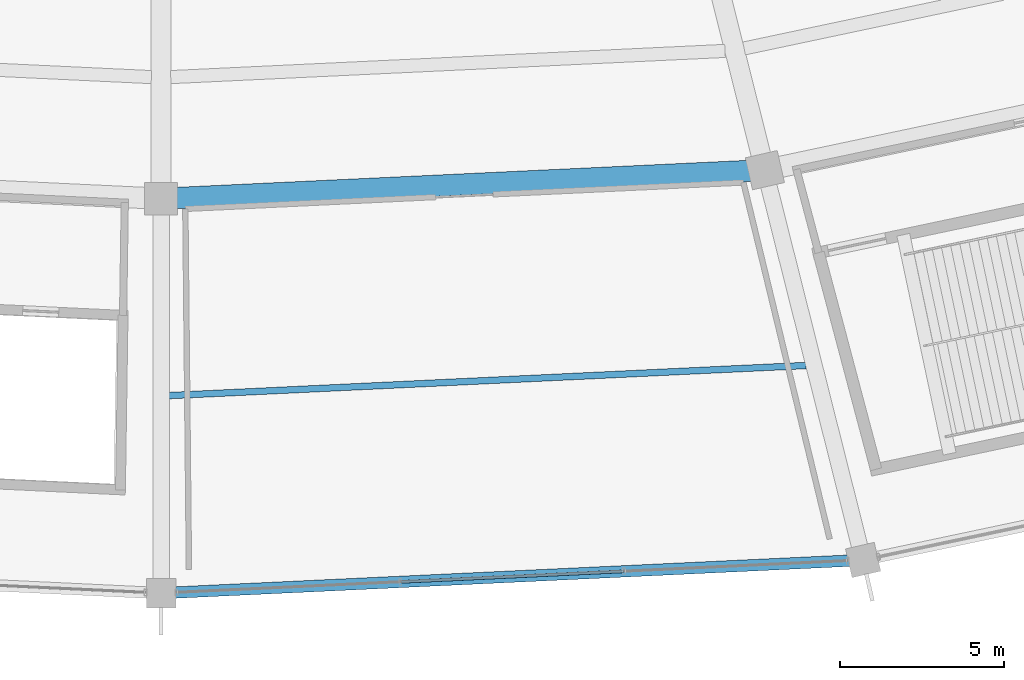
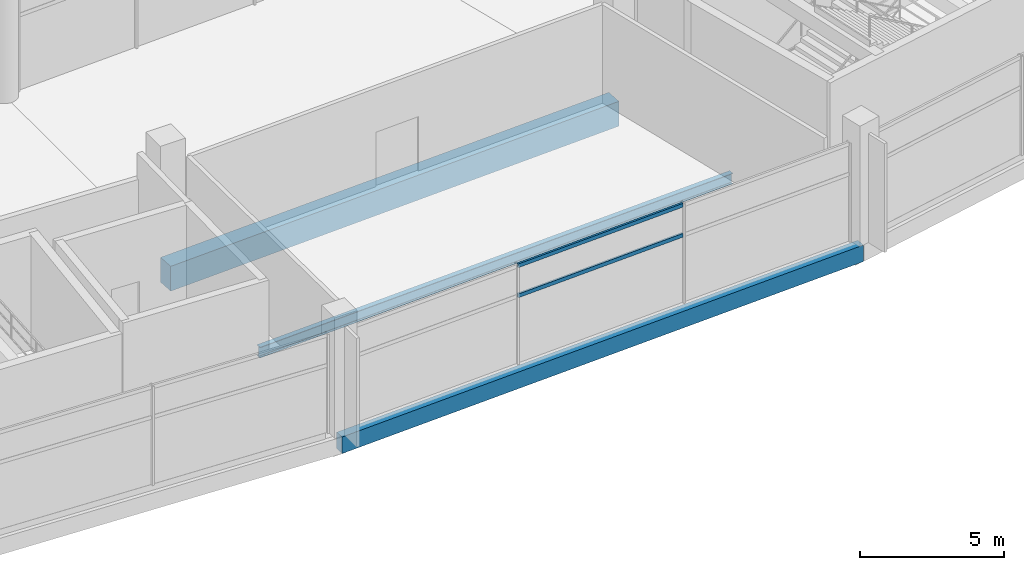
# One storey, part 28 of 184: 3 beams, 2 members, 1 element without a shape of its own.
"""IFC4 building model written with IfcOpenShell, lengths in metres."""

from ifc_helpers import new_model, si_unit, direction, frame, origin, origin_2d, place, context, subcontext, project, spatial, rectangle, hollow_rectangle, i_section, extrude, material, layer, layer_set, material_profile, profile_set, type_object, element, aggregate, save


model = new_model("IFC4")

# Units and contexts
model_context = context("Model", 3, precision=1e-05, world=origin(), true_north=direction((0.0, 1.0)))
body_context = subcontext(model_context, "Body", "Model", "MODEL_VIEW")
ifc_project = project(units=[si_unit("LENGTHUNIT", "METRE"), si_unit("AREAUNIT", "SQUARE_METRE"), si_unit("VOLUMEUNIT", "CUBIC_METRE"), si_unit("PLANEANGLEUNIT", "RADIAN"), si_unit("MASSUNIT", "GRAM", prefix="KILO")], contexts=[model_context])

# Site, building, storey
site_placement = place(None, origin())
site = spatial("IfcSite", under=ifc_project, at=site_placement, CompositionType="ELEMENT")
building_placement = place(site_placement, origin())
building = spatial("IfcBuilding", under=site, at=building_placement, Name="Kazemori Nagisa Stadium", CompositionType="ELEMENT")
storey_placement = place(building_placement, frame((0.0, 0.0, 10.5400390625)))
storey = spatial("IfcBuildingStorey", under=building, at=storey_placement, Name="L02", CompositionType="ELEMENT", Elevation=10.5400390625)

# Beams
ifc_material_1 = material(Name="Concrete C40/50 (Fc42)", Category="concrete")
ifc_material_profile_1 = material_profile(ifc_material_1, rectangle(XDim=0.64990234375, YDim=1.050048828125, at=origin_2d()), Name="RC-BM-650x1050")
ifc_profile_set_1 = profile_set([ifc_material_profile_1], Name="Concrete C40/50 (Fc42)")
beam_type_1 = type_object("IfcBeamType", Name="Beam_BG-RC650X1050", PredefinedType="BEAM", material=ifc_profile_set_1)
beam_1_placement = place(storey_placement, frame((123.0, 28.0400390625, -0.78515625), z_axis=(0.9988839804, 0.047231278829, 0.0), x_axis=(-0.047231278829, 0.9988839804, 0.0)))
element("IfcBeam", 1, at=beam_1_placement, inside=storey, type_object=beam_type_1, Name="Ring girder BG-RC650X1050 L02 R2-22", PredefinedType="BEAM", context=body_context, shape_type="SweptSolid", body=[
    extrude(rectangle(XDim=0.64990234375, YDim=1.050048828125, at=origin_2d()), origin(), (0.0, 0.0, 1.0), 18.4482421875),
])
ifc_material_2 = material(Name="Steel SN490B", Category="steel")
ifc_material_profile_2 = material_profile(ifc_material_2, i_section(OverallWidth=0.199951171875, OverallDepth=0.449951171875, WebThickness=0.009033203125, FlangeThickness=0.013916015625, FilletRadius=0.012939453125, at=origin_2d()), Name="H-450x200x9x14")
ifc_profile_set_2 = profile_set([ifc_material_profile_2], Name="Steel SN490B")
beam_type_2 = type_object("IfcBeamType", Name="Beam_BJ-H450", PredefinedType="JOIST", material=ifc_profile_set_2)
beam_2_placement = place(storey_placement, frame((123.24462890625, 22.031494140625, -0.485107421875), z_axis=(0.998883835953, 0.047234333614, 0.0), x_axis=(-0.047234333614, 0.998883835953, 0.0)))
element("IfcBeam", 2, at=beam_2_placement, inside=storey, type_object=beam_type_2, Name="Outer bay joist BJ-H450 L02 B22", PredefinedType="JOIST", context=body_context, shape_type="SweptSolid", body=[
    extrude(i_section(OverallWidth=0.199951171875, OverallDepth=0.449951171875, WebThickness=0.009033203125, FlangeThickness=0.013916015625, FilletRadius=0.012939453125, at=origin_2d()), origin(), (0.0, 0.0, 1.0), 19.460205078125),
])
ifc_material_profile_3 = material_profile(ifc_material_1, rectangle(XDim=0.35009765625, YDim=0.699951171875, at=origin_2d()), Name="RC-SP-350x700")
ifc_profile_set_3 = profile_set([ifc_material_profile_3], Name="Concrete C40/50 (Fc42)")
beam_type_3 = type_object("IfcBeamType", Name="Beam_BS-RC350X700", PredefinedType="SPANDREL", material=ifc_profile_set_3)
beam_3_placement = place(storey_placement, frame((123.0, 16.0, -0.610107421875), z_axis=(0.998883994571, 0.047230979144, 0.0), x_axis=(-0.047230979144, 0.998883994571, 0.0)))
element("IfcBeam", 3, at=beam_3_placement, inside=storey, type_object=beam_type_3, Name="Ring girder BS-RC350X700 L02 R3-22", PredefinedType="SPANDREL", context=body_context, shape_type="SweptSolid", body=[
    extrude(rectangle(XDim=0.35009765625, YDim=0.699951171875, at=origin_2d()), origin(), (0.0, 0.0, 1.0), 21.45166015625),
])

# Curtain wall, members
ifc_material_3 = material(Name="Anodised aluminium 6063-T5", Category="aluminium")
ifc_layer = layer(ifc_material_3, 0.2099609375, Name="Anodised aluminium 6063-T5", Category="aluminium")
ifc_layer_set = layer_set([ifc_layer], Name="Anodised aluminium 6063-T5")
curtain_wall_type = type_object("IfcCurtainWallType", Name="CW_L02R3_103", PredefinedType="USERDEFINED", material=ifc_layer_set)
curtain_wall_placement = place(storey_placement, origin())
curtain_wall = element("IfcCurtainWall", 4, at=curtain_wall_placement, inside=storey, type_object=curtain_wall_type, Name="Unitised curtain wall CW-L02R3-103 L02", ObjectType="UNITISED CURTAIN WALL", PredefinedType="USERDEFINED")
ifc_material_4 = material(Name="Aluminium 6063-T5 anodised", Category="aluminium")
ifc_material_profile_4 = material_profile(ifc_material_4, hollow_rectangle(XDim=0.080078125, YDim=0.159912109375, WallThickness=0.00390625, at=origin_2d()), Name="ALU-TRAN-80x160x4")
ifc_profile_set_4 = profile_set([ifc_material_profile_4], Name="Aluminium 6063-T5 anodised")
member_type = type_object("IfcMemberType", Name="Transom_T02", PredefinedType="USERDEFINED", material=ifc_profile_set_4)
member_1_placement = place(storey_placement, frame((130.32080078125, 16.34619140625, 2.84912109375), z_axis=(0.998884501545, 0.047220255973, 0.0), x_axis=(-0.047220255973, 0.998884501545, 0.0)))
member_1 = element("IfcMember", 5, at=member_1_placement, type_object=member_type, Name="Curtain wall transom CW-L02R3-103-T2-mid", ObjectType="TRANSOM", PredefinedType="USERDEFINED", context=body_context, shape_type="SweptSolid", body=[
    extrude(hollow_rectangle(XDim=0.080078125, YDim=0.159912109375, WallThickness=0.00390625, at=origin_2d()), origin(), (0.0, 0.0, 1.0), 6.793701171875),
])
member_2_placement = place(storey_placement, frame((130.32080078125, 16.34619140625, 4.119873046875), z_axis=(0.998884501545, 0.047220255973, 0.0), x_axis=(-0.047220255973, 0.998884501545, 0.0)))
member_2 = element("IfcMember", 6, at=member_2_placement, type_object=member_type, Name="Curtain wall transom CW-L02R3-103-T2-head", ObjectType="TRANSOM", PredefinedType="USERDEFINED", context=body_context, shape_type="SweptSolid", body=[
    extrude(hollow_rectangle(XDim=0.080078125, YDim=0.159912109375, WallThickness=0.00390625, at=origin_2d()), origin(), (0.0, 0.0, 1.0), 6.793701171875),
])
aggregate(curtain_wall, [member_1, member_2])

save(model, "model.ifc")
